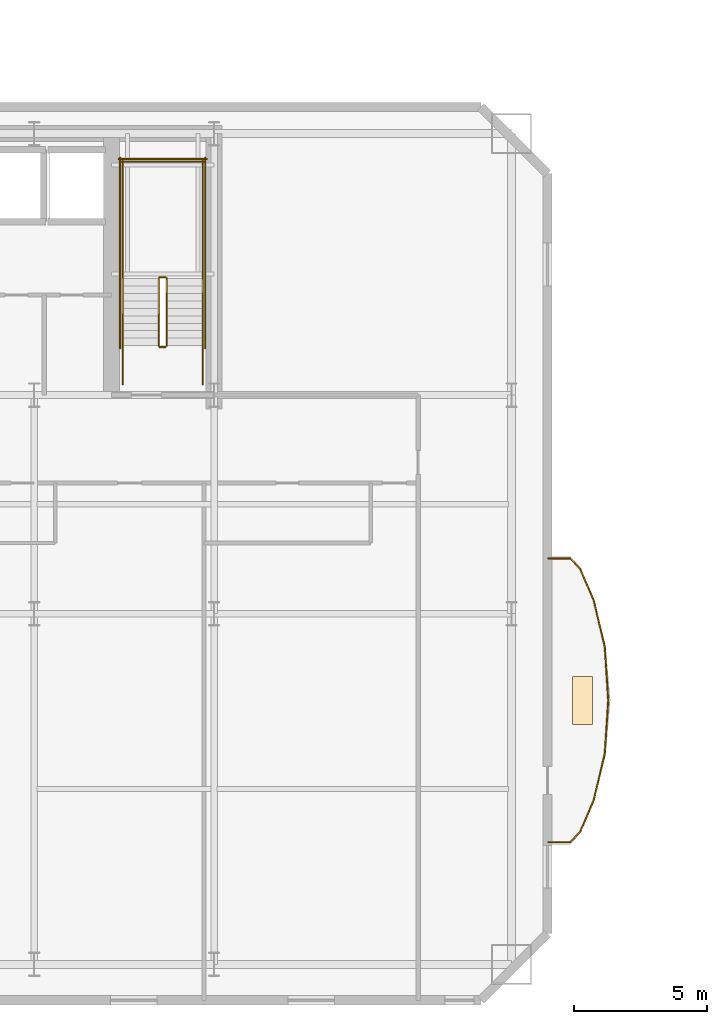
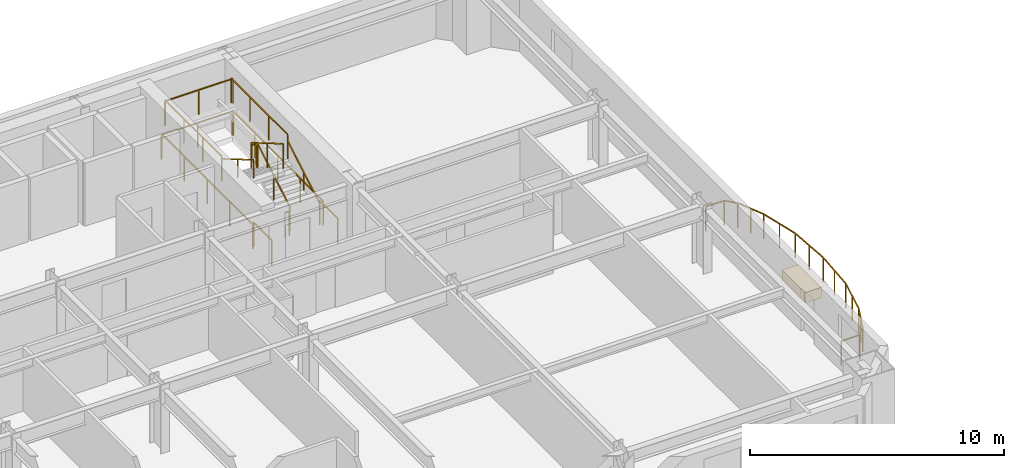
# One storey, part 13 of 16: 24 railings, 1 covering.
"""IFC4 building model written with IfcOpenShell, lengths in metres."""

from ifc_helpers import new_model, si_unit, direction, frame, origin, origin_2d, place, context, subcontext, project, spatial, rectangle, extrude, material, layer, layer_set, type_object, element, save


model = new_model("IFC4")

# Units and contexts
model_context = context("Model", 3, precision=1e-05, world=origin(), true_north=direction((0.0, 1.0)))
body_context = subcontext(model_context, "Body", "Model", "MODEL_VIEW")
ifc_project = project(units=[si_unit("LENGTHUNIT", "METRE"), si_unit("AREAUNIT", "SQUARE_METRE"), si_unit("VOLUMEUNIT", "CUBIC_METRE"), si_unit("PLANEANGLEUNIT", "RADIAN"), si_unit("MASSUNIT", "GRAM", prefix="KILO")], contexts=[model_context])

# Site, building, storey
site_placement = place(None, origin())
site = spatial("IfcSite", under=ifc_project, at=site_placement, CompositionType="ELEMENT")
building_placement = place(site_placement, origin())
building = spatial("IfcBuilding", under=site, at=building_placement, Name="Haevon Station Towers", CompositionType="ELEMENT")
storey_placement = place(building_placement, frame((0.0, 0.0, 57.0)))
storey = spatial("IfcBuildingStorey", under=building, at=storey_placement, Name="L14", CompositionType="ELEMENT", Elevation=57.0)

# Railings
ifc_material_1 = material(Name="Steel S355", Category="steel")
railing_type_1 = type_object("IfcRailingType", Name="GRD-EXT1200", PredefinedType="GUARDRAIL", material=ifc_material_1)
railing_1_placement = place(storey_placement, frame((63.523681640625, 21.427734375, 0.0)))
element("IfcRailing", 1, at=railing_1_placement, inside=storey, type_object=railing_type_1, Name="L14 Perimeter Guardrail 1", PredefinedType="GUARDRAIL", context=body_context, shape_type="SweptSolid", body=[
    extrude(rectangle(XDim=0.048095703125, YDim=0.048095703125, at=origin_2d()), frame((0.0, 0.0, 1.17578125), z_axis=(0.999997284808, 0.002330317005, 0.0), x_axis=(-0.002330317005, 0.999997284808, 0.0)), (0.0, 0.0, 1.0), 0.838134765625),
    extrude(rectangle(XDim=0.0419921875, YDim=0.0419921875, at=origin_2d()), origin(), (0.0, 0.0, 1.0), 1.15185546875),
    extrude(rectangle(XDim=0.0419921875, YDim=0.0419921875, at=origin_2d()), frame((0.838134765625, 0.001953125, 0.0)), (0.0, 0.0, 1.0), 1.15185546875),
])
railing_2_placement = place(storey_placement, frame((64.36181640625, 21.4296875, 0.0)))
element("IfcRailing", 2, at=railing_2_placement, inside=storey, type_object=railing_type_1, Name="L14 Perimeter Guardrail 2", PredefinedType="GUARDRAIL", context=body_context, shape_type="SweptSolid", body=[
    extrude(rectangle(XDim=0.048095703125, YDim=0.048095703125, at=origin_2d()), frame((0.0, 0.0, 1.17578125), z_axis=(0.67582366234, 0.737063346953, 0.0), x_axis=(-0.737063346953, 0.67582366234, 0.0)), (0.0, 0.0, 1.0), 0.55810546875),
    extrude(rectangle(XDim=0.0419921875, YDim=0.0419921875, at=origin_2d()), origin(), (0.0, 0.0, 1.0), 1.15185546875),
    extrude(rectangle(XDim=0.0419921875, YDim=0.0419921875, at=origin_2d()), frame((0.377197265625, 0.411376953125, 0.0)), (0.0, 0.0, 1.0), 1.15185546875),
])
railing_3_placement = place(storey_placement, frame((64.739013671875, 21.841064453125, 0.0)))
element("IfcRailing", 3, at=railing_3_placement, inside=storey, type_object=railing_type_1, Name="L14 Perimeter Guardrail 3", PredefinedType="GUARDRAIL", context=body_context, shape_type="SweptSolid", body=[
    extrude(rectangle(XDim=0.048095703125, YDim=0.048095703125, at=origin_2d()), frame((0.0, 0.0, 1.17578125), z_axis=(0.393154964612, 0.919472225682, 0.0), x_axis=(-0.919472225682, 0.393154964612, 0.0)), (0.0, 0.0, 1.0), 1.2724609375),
    extrude(rectangle(XDim=0.0419921875, YDim=0.0419921875, at=origin_2d()), origin(), (0.0, 0.0, 1.0), 1.15185546875),
    extrude(rectangle(XDim=0.0419921875, YDim=0.0419921875, at=origin_2d()), frame((0.25, 0.5849609375, 0.0)), (0.0, 0.0, 1.0), 1.15185546875),
    extrude(rectangle(XDim=0.0419921875, YDim=0.0419921875, at=origin_2d()), frame((0.500244140625, 1.169921875, 0.0)), (0.0, 0.0, 1.0), 1.15185546875),
])
railing_4_placement = place(storey_placement, frame((65.2392578125, 23.010986328125, 0.0)))
element("IfcRailing", 4, at=railing_4_placement, inside=storey, type_object=railing_type_1, Name="L14 Perimeter Guardrail 4", PredefinedType="GUARDRAIL", context=body_context, shape_type="SweptSolid", body=[
    extrude(rectangle(XDim=0.048095703125, YDim=0.048095703125, at=origin_2d()), frame((0.0, 0.0, 1.17578125), z_axis=(0.230320614681, 0.973114800244, 0.0), x_axis=(-0.973114800244, 0.230320614681, 0.0)), (0.0, 0.0, 1.0), 1.794677734375),
    extrude(rectangle(XDim=0.0419921875, YDim=0.0419921875, at=origin_2d()), origin(), (0.0, 0.0, 1.0), 1.15185546875),
    extrude(rectangle(XDim=0.0419921875, YDim=0.0419921875, at=origin_2d()), frame((0.20654296875, 0.873046875, 0.0)), (0.0, 0.0, 1.0), 1.15185546875),
    extrude(rectangle(XDim=0.0419921875, YDim=0.0419921875, at=origin_2d()), frame((0.413330078125, 1.746337890625, 0.0)), (0.0, 0.0, 1.0), 1.15185546875),
])
railing_5_placement = place(storey_placement, frame((65.652587890625, 24.75732421875, 0.0)))
element("IfcRailing", 5, at=railing_5_placement, inside=storey, type_object=railing_type_1, Name="L14 Perimeter Guardrail 5", PredefinedType="GUARDRAIL", context=body_context, shape_type="SweptSolid", body=[
    extrude(rectangle(XDim=0.048095703125, YDim=0.048095703125, at=origin_2d()), frame((0.0, 0.0, 1.17578125), z_axis=(0.063215626586, 0.997999892062, 0.0), x_axis=(-0.997999892062, 0.063215626586, 0.0)), (0.0, 0.0, 1.0), 1.99658203125),
    extrude(rectangle(XDim=0.0419921875, YDim=0.0419921875, at=origin_2d()), origin(), (0.0, 0.0, 1.0), 1.15185546875),
    extrude(rectangle(XDim=0.0419921875, YDim=0.0419921875, at=origin_2d()), frame((0.06298828125, 0.996337890625, 0.0)), (0.0, 0.0, 1.0), 1.15185546875),
    extrude(rectangle(XDim=0.0419921875, YDim=0.0419921875, at=origin_2d()), frame((0.126220703125, 1.99267578125, 0.0)), (0.0, 0.0, 1.0), 1.15185546875),
])
railing_6_placement = place(storey_placement, frame((65.77880859375, 26.75, 0.0)))
element("IfcRailing", 6, at=railing_6_placement, inside=storey, type_object=railing_type_1, Name="L14 Perimeter Guardrail 6", PredefinedType="GUARDRAIL", context=body_context, shape_type="SweptSolid", body=[
    extrude(rectangle(XDim=0.048095703125, YDim=0.048095703125, at=origin_2d()), frame((0.0, 0.0, 1.17578125), z_axis=(-0.063215626586, 0.997999892062, 0.0), x_axis=(-0.997999892062, -0.063215626586, 0.0)), (0.0, 0.0, 1.0), 1.99658203125),
    extrude(rectangle(XDim=0.0419921875, YDim=0.0419921875, at=origin_2d()), origin(), (0.0, 0.0, 1.0), 1.15185546875),
    extrude(rectangle(XDim=0.0419921875, YDim=0.0419921875, at=origin_2d()), frame((-0.06298828125, 0.996337890625, 0.0)), (0.0, 0.0, 1.0), 1.15185546875),
    extrude(rectangle(XDim=0.0419921875, YDim=0.0419921875, at=origin_2d()), frame((-0.126220703125, 1.99267578125, 0.0)), (0.0, 0.0, 1.0), 1.15185546875),
])
railing_7_placement = place(storey_placement, frame((65.652587890625, 28.74267578125, 0.0)))
element("IfcRailing", 7, at=railing_7_placement, inside=storey, type_object=railing_type_1, Name="L14 Perimeter Guardrail 7", PredefinedType="GUARDRAIL", context=body_context, shape_type="SweptSolid", body=[
    extrude(rectangle(XDim=0.048095703125, YDim=0.048095703125, at=origin_2d()), frame((0.0, 0.0, 1.17578125), z_axis=(-0.230320614681, 0.973114800244, 0.0), x_axis=(-0.973114800244, -0.230320614681, 0.0)), (0.0, 0.0, 1.0), 1.794677734375),
    extrude(rectangle(XDim=0.0419921875, YDim=0.0419921875, at=origin_2d()), origin(), (0.0, 0.0, 1.0), 1.15185546875),
    extrude(rectangle(XDim=0.0419921875, YDim=0.0419921875, at=origin_2d()), frame((-0.20654296875, 0.873046875, 0.0)), (0.0, 0.0, 1.0), 1.15185546875),
    extrude(rectangle(XDim=0.0419921875, YDim=0.0419921875, at=origin_2d()), frame((-0.413330078125, 1.746337890625, 0.0)), (0.0, 0.0, 1.0), 1.15185546875),
])
railing_8_placement = place(storey_placement, frame((65.2392578125, 30.489013671875, 0.0)))
element("IfcRailing", 8, at=railing_8_placement, inside=storey, type_object=railing_type_1, Name="L14 Perimeter Guardrail 8", PredefinedType="GUARDRAIL", context=body_context, shape_type="SweptSolid", body=[
    extrude(rectangle(XDim=0.048095703125, YDim=0.048095703125, at=origin_2d()), frame((0.0, 0.0, 1.17578125), z_axis=(-0.393154964612, 0.919472225682, 0.0), x_axis=(-0.919472225682, -0.393154964612, 0.0)), (0.0, 0.0, 1.0), 1.2724609375),
    extrude(rectangle(XDim=0.0419921875, YDim=0.0419921875, at=origin_2d()), origin(), (0.0, 0.0, 1.0), 1.15185546875),
    extrude(rectangle(XDim=0.0419921875, YDim=0.0419921875, at=origin_2d()), frame((-0.25, 0.5849609375, 0.0)), (0.0, 0.0, 1.0), 1.15185546875),
    extrude(rectangle(XDim=0.0419921875, YDim=0.0419921875, at=origin_2d()), frame((-0.500244140625, 1.169921875, 0.0)), (0.0, 0.0, 1.0), 1.15185546875),
])
railing_9_placement = place(storey_placement, frame((64.739013671875, 31.658935546875, 0.0)))
element("IfcRailing", 9, at=railing_9_placement, inside=storey, type_object=railing_type_1, Name="L14 Perimeter Guardrail 9", PredefinedType="GUARDRAIL", context=body_context, shape_type="SweptSolid", body=[
    extrude(rectangle(XDim=0.048095703125, YDim=0.048095703125, at=origin_2d()), frame((0.0, 0.0, 1.17578125), z_axis=(-0.67582366234, 0.737063346953, 0.0), x_axis=(-0.737063346953, -0.67582366234, 0.0)), (0.0, 0.0, 1.0), 0.55810546875),
    extrude(rectangle(XDim=0.0419921875, YDim=0.0419921875, at=origin_2d()), origin(), (0.0, 0.0, 1.0), 1.15185546875),
    extrude(rectangle(XDim=0.0419921875, YDim=0.0419921875, at=origin_2d()), frame((-0.377197265625, 0.411376953125, 0.0)), (0.0, 0.0, 1.0), 1.15185546875),
])
railing_10_placement = place(storey_placement, frame((64.36181640625, 32.0703125, 0.0)))
element("IfcRailing", 10, at=railing_10_placement, inside=storey, type_object=railing_type_1, Name="L14 Perimeter Guardrail 10", PredefinedType="GUARDRAIL", context=body_context, shape_type="SweptSolid", body=[
    extrude(rectangle(XDim=0.048095703125, YDim=0.048095703125, at=origin_2d()), frame((0.0, 0.0, 1.17578125), z_axis=(-0.999997284808, 0.002330317005, 0.0), x_axis=(-0.002330317005, -0.999997284808, 0.0)), (0.0, 0.0, 1.0), 0.838134765625),
    extrude(rectangle(XDim=0.0419921875, YDim=0.0419921875, at=origin_2d()), origin(), (0.0, 0.0, 1.0), 1.15185546875),
    extrude(rectangle(XDim=0.0419921875, YDim=0.0419921875, at=origin_2d()), frame((-0.838134765625, 0.001953125, 0.0)), (0.0, 0.0, 1.0), 1.15185546875),
])
railing_type_2 = type_object("IfcRailingType", Name="GRD-STR1200", PredefinedType="GUARDRAIL", material=ifc_material_1)
railing_11_placement = place(storey_placement, frame((49.219970703125, 40.050048828125, 0.1650390625)))
element("IfcRailing", 11, at=railing_11_placement, inside=storey, type_object=railing_type_2, Name="L14 ST2 Stair Guard 1", PredefinedType="GUARDRAIL", context=body_context, shape_type="SweptSolid", body=[
    extrude(rectangle(XDim=0.048095703125, YDim=0.048095703125, at=origin_2d()), frame((0.0, 0.0, 1.17578125), z_axis=(0.0, 0.861560626758, 0.507654692109), x_axis=(-1.0, 0.0, 0.0)), (0.0, 0.0, 1.0), 2.925048828125),
    extrude(rectangle(XDim=0.0419921875, YDim=0.0419921875, at=origin_2d()), origin(), (0.0, 0.0, 1.0), 1.15185546875),
    extrude(rectangle(XDim=0.0419921875, YDim=0.0419921875, at=origin_2d()), frame((0.0, 1.260009765625, 0.742431640625)), (0.0, 0.0, 1.0), 1.15185546875),
    extrude(rectangle(XDim=0.0419921875, YDim=0.0419921875, at=origin_2d()), frame((0.0, 2.52001953125, 1.48486328125)), (0.0, 0.0, 1.0), 1.15185546875),
])
railing_12_placement = place(storey_placement, frame((49.169921875, 42.6201171875, 1.64990234375)))
element("IfcRailing", 12, at=railing_12_placement, inside=storey, type_object=railing_type_2, Name="L14 ST2 Stair Guard 2", PredefinedType="GUARDRAIL", context=body_context, shape_type="SweptSolid", body=[
    extrude(rectangle(XDim=0.048095703125, YDim=0.048095703125, at=origin_2d()), frame((0.0, 0.0, 1.17578125), z_axis=(-1.0, 0.0, 0.0), x_axis=(0.0, -1.0, 0.0)), (0.0, 0.0, 1.0), 0.199951171875),
    extrude(rectangle(XDim=0.0419921875, YDim=0.0419921875, at=origin_2d()), origin(), (0.0, 0.0, 1.0), 1.15185546875),
    extrude(rectangle(XDim=0.0419921875, YDim=0.0419921875, at=origin_2d()), frame((-0.199951171875, 0.0, 0.0)), (0.0, 0.0, 1.0), 1.15185546875),
])
for number, where, name in (
    (13, (50.570068359375, 42.570068359375, 1.64990234375), "L14 ST2 Stair Guard 3"),
    (14, (47.570068359375, 42.570068359375, 1.64990234375), "L14 ST2 Stair Guard 4"),
):
    element("IfcRailing", number, at=place(storey_placement, frame(where)), inside=storey, type_object=railing_type_2, Name=name, PredefinedType="GUARDRAIL", context=body_context, shape_type="SweptSolid", body=[
        extrude(rectangle(XDim=0.048095703125, YDim=0.048095703125, at=origin_2d()), frame((0.0, 0.0, 1.17578125), z_axis=(0.0, 1.0, 0.0), x_axis=(-1.0, 0.0, 0.0)), (0.0, 0.0, 1.0), 4.429931640625),
        extrude(rectangle(XDim=0.0419921875, YDim=0.0419921875, at=origin_2d()), origin(), (0.0, 0.0, 1.0), 1.15185546875),
        extrude(rectangle(XDim=0.0419921875, YDim=0.0419921875, at=origin_2d()), frame((0.0, 1.4765625, 0.0)), (0.0, 0.0, 1.0), 1.15185546875),
        extrude(rectangle(XDim=0.0419921875, YDim=0.0419921875, at=origin_2d()), frame((0.0, 2.953369140625, 0.0)), (0.0, 0.0, 1.0), 1.15185546875),
        extrude(rectangle(XDim=0.0419921875, YDim=0.0419921875, at=origin_2d()), frame((0.0, 4.429931640625, 0.0)), (0.0, 0.0, 1.0), 1.15185546875),
    ])
railing_13_placement = place(storey_placement, frame((50.6201171875, 46.949951171875, 1.64990234375)))
element("IfcRailing", 15, at=railing_13_placement, inside=storey, type_object=railing_type_2, Name="L14 ST2 Stair Guard 5", PredefinedType="GUARDRAIL", context=body_context, shape_type="SweptSolid", body=[
    extrude(rectangle(XDim=0.048095703125, YDim=0.048095703125, at=origin_2d()), frame((0.0, 0.0, 1.17578125), z_axis=(-1.0, 0.0, 0.0), x_axis=(0.0, -1.0, 0.0)), (0.0, 0.0, 1.0), 3.10009765625),
    extrude(rectangle(XDim=0.0419921875, YDim=0.0419921875, at=origin_2d()), origin(), (0.0, 0.0, 1.0), 1.15185546875),
    extrude(rectangle(XDim=0.0419921875, YDim=0.0419921875, at=origin_2d()), frame((-1.550048828125, 0.0, 0.0)), (0.0, 0.0, 1.0), 1.15185546875),
    extrude(rectangle(XDim=0.0419921875, YDim=0.0419921875, at=origin_2d()), frame((-3.10009765625, 0.0, 0.0)), (0.0, 0.0, 1.0), 1.15185546875),
])
railing_14_placement = place(storey_placement, frame((48.919921875, 42.570068359375, 1.81494140625)))
element("IfcRailing", 16, at=railing_14_placement, inside=storey, type_object=railing_type_2, Name="L14 ST2 Stair Guard 6", PredefinedType="GUARDRAIL", context=body_context, shape_type="SweptSolid", body=[
    extrude(rectangle(XDim=0.048095703125, YDim=0.048095703125, at=origin_2d()), frame((0.0, 0.0, 1.17578125), z_axis=(0.0, -0.86152411907, 0.507716645641), x_axis=(1.0, 0.0, 0.0)), (0.0, 0.0, 1.0), 2.925048828125),
    extrude(rectangle(XDim=0.0419921875, YDim=0.0419921875, at=origin_2d()), origin(), (0.0, 0.0, 1.0), 1.15185546875),
    extrude(rectangle(XDim=0.0419921875, YDim=0.0419921875, at=origin_2d()), frame((0.0, -1.260009765625, 0.74267578125)), (0.0, 0.0, 1.0), 1.15185546875),
    extrude(rectangle(XDim=0.0419921875, YDim=0.0419921875, at=origin_2d()), frame((0.0, -2.52001953125, 1.485107421875)), (0.0, 0.0, 1.0), 1.15185546875),
])
railing_15_placement = place(storey_placement, frame((49.169921875, 40.0, 0.0)))
element("IfcRailing", 17, at=railing_15_placement, inside=storey, type_object=railing_type_2, Name="L14 ST2 Stair Guard 7", PredefinedType="GUARDRAIL", context=body_context, shape_type="SweptSolid", body=[
    extrude(rectangle(XDim=0.048095703125, YDim=0.048095703125, at=origin_2d()), frame((0.0, 0.0, 1.17578125), z_axis=(-1.0, 0.0, 0.0), x_axis=(0.0, -1.0, 0.0)), (0.0, 0.0, 1.0), 0.199951171875),
    extrude(rectangle(XDim=0.0419921875, YDim=0.0419921875, at=origin_2d()), origin(), (0.0, 0.0, 1.0), 1.15185546875),
    extrude(rectangle(XDim=0.0419921875, YDim=0.0419921875, at=origin_2d()), frame((-0.199951171875, 0.0, 0.0)), (0.0, 0.0, 1.0), 1.15185546875),
])
for number, where, name in (
    (18, (50.570068359375, 38.60009765625, 0.0), "L14 ST2 Stair Guard 8"),
    (19, (47.570068359375, 38.60009765625, 0.0), "L14 ST2 Stair Guard 9"),
):
    element("IfcRailing", number, at=place(storey_placement, frame(where)), inside=storey, type_object=railing_type_2, Name=name, PredefinedType="GUARDRAIL", context=body_context, shape_type="SweptSolid", body=[
        extrude(rectangle(XDim=0.048095703125, YDim=0.048095703125, at=origin_2d()), frame((0.0, 0.0, 1.17578125), z_axis=(0.0, 1.0, 0.0), x_axis=(-1.0, 0.0, 0.0)), (0.0, 0.0, 1.0), 1.449951171875),
        extrude(rectangle(XDim=0.0419921875, YDim=0.0419921875, at=origin_2d()), origin(), (0.0, 0.0, 1.0), 1.15185546875),
        extrude(rectangle(XDim=0.0419921875, YDim=0.0419921875, at=origin_2d()), frame((0.0, 1.449951171875, 0.0)), (0.0, 0.0, 1.0), 1.15185546875),
    ])
for number, where, name in (
    (20, (50.669921875, 39.949951171875, 0.0), "L14 ST2 Stair Guard 10"),
    (21, (47.469970703125, 39.949951171875, 0.0), "L14 ST2 Stair Guard 11"),
):
    element("IfcRailing", number, at=place(storey_placement, frame(where)), inside=storey, type_object=railing_type_2, Name=name, PredefinedType="GUARDRAIL", context=body_context, shape_type="SweptSolid", body=[
        extrude(rectangle(XDim=0.048095703125, YDim=0.048095703125, at=origin_2d()), frame((0.0, 0.0, 1.17578125), z_axis=(0.0, 1.0, 0.0), x_axis=(-1.0, 0.0, 0.0)), (0.0, 0.0, 1.0), 7.150146484375),
        extrude(rectangle(XDim=0.0419921875, YDim=0.0419921875, at=origin_2d()), origin(), (0.0, 0.0, 1.0), 1.15185546875),
        extrude(rectangle(XDim=0.0419921875, YDim=0.0419921875, at=origin_2d()), frame((0.0, 1.78759765625, 0.0)), (0.0, 0.0, 1.0), 1.15185546875),
        extrude(rectangle(XDim=0.0419921875, YDim=0.0419921875, at=origin_2d()), frame((0.0, 3.5751953125, 0.0)), (0.0, 0.0, 1.0), 1.15185546875),
        extrude(rectangle(XDim=0.0419921875, YDim=0.0419921875, at=origin_2d()), frame((0.0, 5.362548828125, 0.0)), (0.0, 0.0, 1.0), 1.15185546875),
        extrude(rectangle(XDim=0.0419921875, YDim=0.0419921875, at=origin_2d()), frame((0.0, 7.150146484375, 0.0)), (0.0, 0.0, 1.0), 1.15185546875),
    ])
railing_16_placement = place(storey_placement, frame((50.719970703125, 47.050048828125, 0.0)))
element("IfcRailing", 22, at=railing_16_placement, inside=storey, type_object=railing_type_2, Name="L14 ST2 Stair Guard 12", PredefinedType="GUARDRAIL", context=body_context, shape_type="SweptSolid", body=[
    extrude(rectangle(XDim=0.048095703125, YDim=0.048095703125, at=origin_2d()), frame((0.0, 0.0, 1.17578125), z_axis=(-1.0, 0.0, 0.0), x_axis=(0.0, -1.0, 0.0)), (0.0, 0.0, 1.0), 3.300048828125),
    extrude(rectangle(XDim=0.0419921875, YDim=0.0419921875, at=origin_2d()), origin(), (0.0, 0.0, 1.0), 1.15185546875),
    extrude(rectangle(XDim=0.0419921875, YDim=0.0419921875, at=origin_2d()), frame((-1.64990234375, 0.0, 0.0)), (0.0, 0.0, 1.0), 1.15185546875),
    extrude(rectangle(XDim=0.0419921875, YDim=0.0419921875, at=origin_2d()), frame((-3.300048828125, 0.0, 0.0)), (0.0, 0.0, 1.0), 1.15185546875),
])
railing_type_3 = type_object("IfcRailingType", Name="HND-STR900", PredefinedType="HANDRAIL", material=ifc_material_1)
railing_17_placement = place(storey_placement, frame((50.570068359375, 40.050048828125, 0.1650390625)))
element("IfcRailing", 23, at=railing_17_placement, inside=storey, type_object=railing_type_3, Name="L14 ST2 Stair Handrail 1", PredefinedType="HANDRAIL", context=body_context, shape_type="SweptSolid", body=[
    extrude(rectangle(XDim=0.048095703125, YDim=0.048095703125, at=origin_2d()), frame((0.0, 0.0, 0.8759765625), z_axis=(0.0, 0.861560626758, 0.507654692109), x_axis=(-1.0, 0.0, 0.0)), (0.0, 0.0, 1.0), 2.925048828125),
    extrude(rectangle(XDim=0.0419921875, YDim=0.0419921875, at=origin_2d()), origin(), (0.0, 0.0, 1.0), 0.851806640625),
    extrude(rectangle(XDim=0.0419921875, YDim=0.0419921875, at=origin_2d()), frame((0.0, 1.260009765625, 0.742431640625)), (0.0, 0.0, 1.0), 0.851806640625),
    extrude(rectangle(XDim=0.0419921875, YDim=0.0419921875, at=origin_2d()), frame((0.0, 2.52001953125, 1.48486328125)), (0.0, 0.0, 1.0), 0.851806640625),
])
railing_18_placement = place(storey_placement, frame((47.570068359375, 42.570068359375, 1.81494140625)))
element("IfcRailing", 24, at=railing_18_placement, inside=storey, type_object=railing_type_3, Name="L14 ST2 Stair Handrail 2", PredefinedType="HANDRAIL", context=body_context, shape_type="SweptSolid", body=[
    extrude(rectangle(XDim=0.048095703125, YDim=0.048095703125, at=origin_2d()), frame((0.0, 0.0, 0.8759765625), z_axis=(0.0, -0.86152411907, 0.507716645641), x_axis=(1.0, 0.0, 0.0)), (0.0, 0.0, 1.0), 2.925048828125),
    extrude(rectangle(XDim=0.0419921875, YDim=0.0419921875, at=origin_2d()), origin(), (0.0, 0.0, 1.0), 0.851806640625),
    extrude(rectangle(XDim=0.0419921875, YDim=0.0419921875, at=origin_2d()), frame((0.0, -1.260009765625, 0.74267578125)), (0.0, 0.0, 1.0), 0.851806640625),
    extrude(rectangle(XDim=0.0419921875, YDim=0.0419921875, at=origin_2d()), frame((0.0, -2.52001953125, 1.485107421875)), (0.0, 0.0, 1.0), 0.851806640625),
])

# Covering
ifc_material_2 = material(Name="Architectural planter GRC", Category="concrete")
ifc_layer = layer(ifc_material_2, 0.550048828125)
ifc_layer_set = layer_set([ifc_layer], Name="Architectural planter GRC")
covering_type = type_object("IfcCoveringType", Name="PLN-GRC550", PredefinedType="MOLDING", material=ifc_layer_set)
covering_placement = place(storey_placement, frame((64.810791015625, 26.75, 0.0), z_axis=(0.0, 0.0, 1.0), x_axis=(1.0, 0.0, 0.0)))
element("IfcCovering", 25, at=covering_placement, inside=storey, type_object=covering_type, Name="Tower 1 L14 Scalloped Balcony PLANTER", PredefinedType="MOLDING", context=body_context, shape_type="SweptSolid", body=[
    extrude(rectangle(XDim=0.75, YDim=1.800048828125, at=origin_2d()), origin(), (0.0, 0.0, 1.0), 0.5),
])

save(model, "model.ifc")
